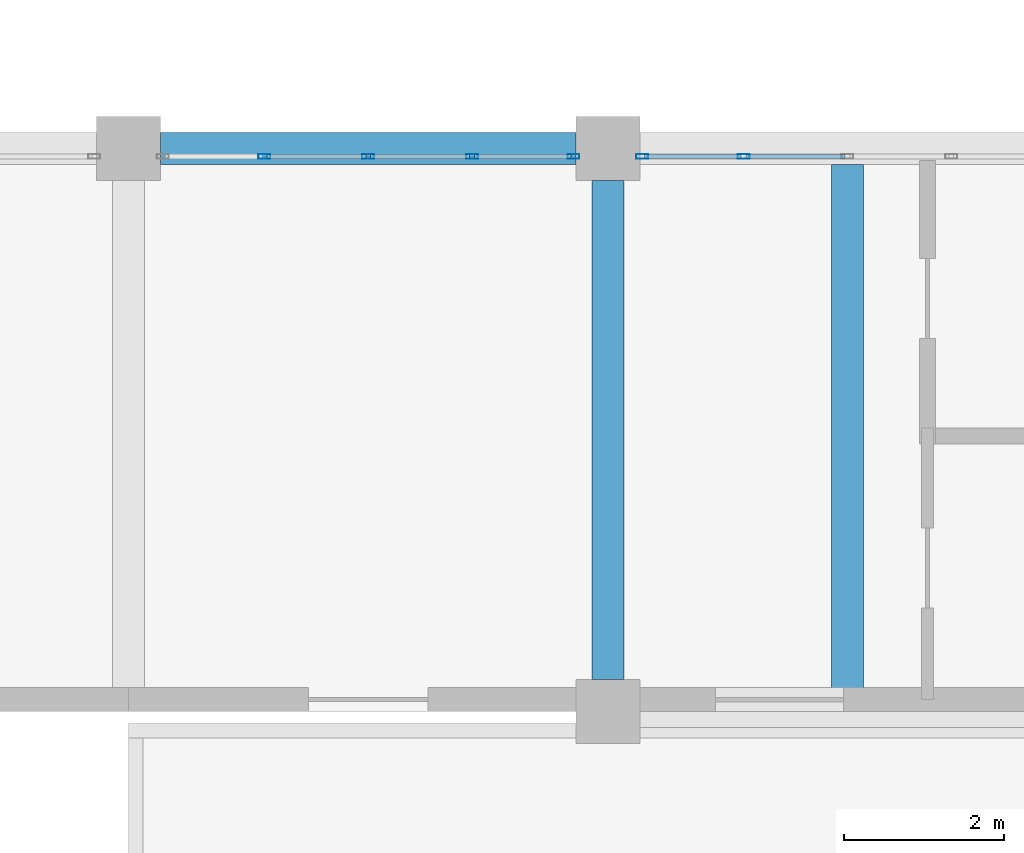
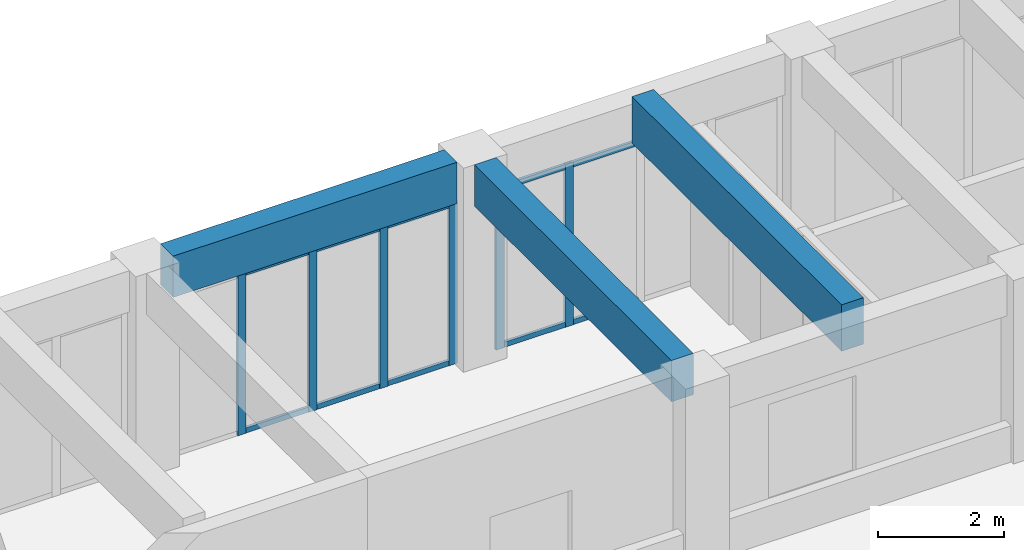
# One storey, part 18 of 92: 16 members, 3 beams, 2 elements without a shape of their own.
"""IFC4 building model written with IfcOpenShell, lengths in metres."""

from ifc_helpers import new_model, si_unit, direction, frame, origin, origin_2d, place, context, subcontext, project, spatial, rectangle, hollow_rectangle, extrude, material, material_profile, profile_set, type_object, element, aggregate, save


model = new_model("IFC4")

# Units and contexts
model_context = context("Model", 3, precision=1e-05, world=origin(), true_north=direction((0.0, 1.0)))
body_context = subcontext(model_context, "Body", "Model", "MODEL_VIEW")
ifc_project = project(units=[si_unit("LENGTHUNIT", "METRE"), si_unit("AREAUNIT", "SQUARE_METRE"), si_unit("VOLUMEUNIT", "CUBIC_METRE"), si_unit("PLANEANGLEUNIT", "RADIAN"), si_unit("MASSUNIT", "GRAM", prefix="KILO")], contexts=[model_context])

# Site, building, storey
site_placement = place(None, origin())
site = spatial("IfcSite", under=ifc_project, at=site_placement, CompositionType="ELEMENT")
building_placement = place(site_placement, origin())
building = spatial("IfcBuilding", under=site, at=building_placement, Name="Laocheng Heights Fire and Rescue Headquarters", CompositionType="ELEMENT")
storey_placement = place(building_placement, frame((0.0, 0.0, 12.60009765625)))
storey = spatial("IfcBuildingStorey", under=building, at=storey_placement, Name="L03", CompositionType="ELEMENT", Elevation=12.60009765625)

# Curtain wall, members
ifc_material_1 = material(Name="Aluminium unitised curtain wall, low-e double glazing", Category="aluminium")
curtain_wall_type = type_object("IfcCurtainWallType", Name="CW 5200 x 3150 GALLERY UNIT", PredefinedType="NOTDEFINED", material=ifc_material_1)
curtain_wall_1_placement = place(storey_placement, origin())
curtain_wall_1 = element("IfcCurtainWall", 1, at=curtain_wall_1_placement, inside=storey, type_object=curtain_wall_type, Name="Gallery north glazing L03", PredefinedType="NOTDEFINED")
ifc_material_2 = material(Name="Aluminium 6063-T5 extrusion", Category="aluminium")
ifc_material_profile_1 = material_profile(ifc_material_2, hollow_rectangle(XDim=0.06005859375, YDim=0.14990234375, WallThickness=0.0029296875, at=origin_2d()), Name="AL MULLION 150x60x3")
ifc_profile_set_1 = profile_set([ifc_material_profile_1], Name="Aluminium 6063-T5 extrusion")
member_type_1 = type_object("IfcMemberType", Name="AL CURTAIN WALL MULLION 150x60x3", PredefinedType="MULLION", material=ifc_profile_set_1)
member_1_placement = place(storey_placement, frame((55.699951171875, 28.699951171875, 0.0), z_axis=(0.0, 0.0, 1.0), x_axis=(0.0, 1.0, 0.0)))
member_1 = element("IfcMember", 2, at=member_1_placement, type_object=member_type_1, Name="X6-E mullion 2", PredefinedType="MULLION", context=body_context, shape_type="SweptSolid", body=[
    extrude(hollow_rectangle(XDim=0.06005859375, YDim=0.14990234375, WallThickness=0.0029296875, at=origin_2d()), origin(), (0.0, 0.0, 1.0), 3.14990234375),
])
member_2_placement = place(storey_placement, frame((57.0, 28.699951171875, 0.0), z_axis=(0.0, 0.0, 1.0), x_axis=(0.0, 1.0, 0.0)))
member_2 = element("IfcMember", 3, at=member_2_placement, type_object=member_type_1, Name="X6-E mullion 3", PredefinedType="MULLION", context=body_context, shape_type="SweptSolid", body=[
    extrude(hollow_rectangle(XDim=0.06005859375, YDim=0.14990234375, WallThickness=0.0029296875, at=origin_2d()), origin(), (0.0, 0.0, 1.0), 3.14990234375),
])
member_3_placement = place(storey_placement, frame((58.300048828125, 28.699951171875, 0.0), z_axis=(0.0, 0.0, 1.0), x_axis=(0.0, 1.0, 0.0)))
member_3 = element("IfcMember", 4, at=member_3_placement, type_object=member_type_1, Name="X6-E mullion 4", PredefinedType="MULLION", context=body_context, shape_type="SweptSolid", body=[
    extrude(hollow_rectangle(XDim=0.06005859375, YDim=0.14990234375, WallThickness=0.0029296875, at=origin_2d()), origin(), (0.0, 0.0, 1.0), 3.14990234375),
])
member_4_placement = place(storey_placement, frame((59.570068359375, 28.699951171875, 0.0), z_axis=(0.0, 0.0, 1.0), x_axis=(0.0, 1.0, 0.0)))
member_4 = element("IfcMember", 5, at=member_4_placement, type_object=member_type_1, Name="X6-E mullion 5", PredefinedType="MULLION", context=body_context, shape_type="SweptSolid", body=[
    extrude(hollow_rectangle(XDim=0.06005859375, YDim=0.14990234375, WallThickness=0.0029296875, at=origin_2d()), origin(), (0.0, 0.0, 1.0), 3.14990234375),
])

curtain_wall_2_placement = place(storey_placement, origin())
curtain_wall_2 = element("IfcCurtainWall", 6, at=curtain_wall_2_placement, inside=storey, type_object=curtain_wall_type, Name="Gallery north glazing L03", PredefinedType="NOTDEFINED")
member_5_placement = place(storey_placement, frame((60.429931640625, 28.699951171875, 0.0), z_axis=(0.0, 0.0, 1.0), x_axis=(0.0, 1.0, 0.0)))
member_5 = element("IfcMember", 7, at=member_5_placement, type_object=member_type_1, Name="X6-E mullion 1", PredefinedType="MULLION", context=body_context, shape_type="SweptSolid", body=[
    extrude(hollow_rectangle(XDim=0.06005859375, YDim=0.14990234375, WallThickness=0.0029296875, at=origin_2d()), origin(), (0.0, 0.0, 1.0), 3.14990234375),
])
member_6_placement = place(storey_placement, frame((61.699951171875, 28.699951171875, 0.0), z_axis=(0.0, 0.0, 1.0), x_axis=(0.0, 1.0, 0.0)))
member_6 = element("IfcMember", 8, at=member_6_placement, type_object=member_type_1, Name="X6-E mullion 2", PredefinedType="MULLION", context=body_context, shape_type="SweptSolid", body=[
    extrude(hollow_rectangle(XDim=0.06005859375, YDim=0.14990234375, WallThickness=0.0029296875, at=origin_2d()), origin(), (0.0, 0.0, 1.0), 3.14990234375),
])

# Member
ifc_material_3 = material(Name="Aluminium 6063-T5 extrusion", Category="aluminium")
ifc_material_profile_2 = material_profile(ifc_material_3, hollow_rectangle(XDim=0.050048828125, YDim=0.10009765625, WallThickness=0.0029296875, at=origin_2d()), Name="AL TRANSOM 100x50x3")
ifc_profile_set_2 = profile_set([ifc_material_profile_2], Name="Aluminium 6063-T5 extrusion")
member_type_2 = type_object("IfcMemberType", Name="AL CURTAIN WALL TRANSOM 100x50x3", PredefinedType="USERDEFINED", material=ifc_profile_set_2)
member_7_placement = place(storey_placement, frame((55.72998046875, 28.699951171875, 0.0498046875), z_axis=(1.0, 0.0, 0.0), x_axis=(0.0, 1.0, 0.0)))
member_7 = element("IfcMember", 9, at=member_7_placement, type_object=member_type_2, Name="X6-E transom 2.1", ObjectType="TRANSOM", PredefinedType="USERDEFINED", context=body_context, shape_type="SweptSolid", body=[
    extrude(hollow_rectangle(XDim=0.050048828125, YDim=0.10009765625, WallThickness=0.0029296875, at=origin_2d()), origin(), (0.0, 0.0, 1.0), 1.239990234375),
])

member_8_placement = place(storey_placement, frame((55.72998046875, 28.699951171875, 3.099853515625), z_axis=(1.0, 0.0, 0.0), x_axis=(0.0, 1.0, 0.0)))
member_8 = element("IfcMember", 10, at=member_8_placement, type_object=member_type_2, Name="X6-E transom 2.2", ObjectType="TRANSOM", PredefinedType="USERDEFINED", context=body_context, shape_type="SweptSolid", body=[
    extrude(hollow_rectangle(XDim=0.050048828125, YDim=0.10009765625, WallThickness=0.0029296875, at=origin_2d()), origin(), (0.0, 0.0, 1.0), 1.239990234375),
])

member_9_placement = place(storey_placement, frame((57.030029296875, 28.699951171875, 0.0498046875), z_axis=(1.0, 0.0, 0.0), x_axis=(0.0, 1.0, 0.0)))
member_9 = element("IfcMember", 11, at=member_9_placement, type_object=member_type_2, Name="X6-E transom 3.1", ObjectType="TRANSOM", PredefinedType="USERDEFINED", context=body_context, shape_type="SweptSolid", body=[
    extrude(hollow_rectangle(XDim=0.050048828125, YDim=0.10009765625, WallThickness=0.0029296875, at=origin_2d()), origin(), (0.0, 0.0, 1.0), 1.239990234375),
])

member_10_placement = place(storey_placement, frame((57.030029296875, 28.699951171875, 3.099853515625), z_axis=(1.0, 0.0, 0.0), x_axis=(0.0, 1.0, 0.0)))
member_10 = element("IfcMember", 12, at=member_10_placement, type_object=member_type_2, Name="X6-E transom 3.2", ObjectType="TRANSOM", PredefinedType="USERDEFINED", context=body_context, shape_type="SweptSolid", body=[
    extrude(hollow_rectangle(XDim=0.050048828125, YDim=0.10009765625, WallThickness=0.0029296875, at=origin_2d()), origin(), (0.0, 0.0, 1.0), 1.239990234375),
])

member_11_placement = place(storey_placement, frame((58.330078125, 28.699951171875, 0.0498046875), z_axis=(1.0, 0.0, 0.0), x_axis=(0.0, 1.0, 0.0)))
member_11 = element("IfcMember", 13, at=member_11_placement, type_object=member_type_2, Name="X6-E transom 4.1", ObjectType="TRANSOM", PredefinedType="USERDEFINED", context=body_context, shape_type="SweptSolid", body=[
    extrude(hollow_rectangle(XDim=0.050048828125, YDim=0.10009765625, WallThickness=0.0029296875, at=origin_2d()), origin(), (0.0, 0.0, 1.0), 1.2099609375),
])

member_12_placement = place(storey_placement, frame((58.330078125, 28.699951171875, 3.099853515625), z_axis=(1.0, 0.0, 0.0), x_axis=(0.0, 1.0, 0.0)))
member_12 = element("IfcMember", 14, at=member_12_placement, type_object=member_type_2, Name="X6-E transom 4.2", ObjectType="TRANSOM", PredefinedType="USERDEFINED", context=body_context, shape_type="SweptSolid", body=[
    extrude(hollow_rectangle(XDim=0.050048828125, YDim=0.10009765625, WallThickness=0.0029296875, at=origin_2d()), origin(), (0.0, 0.0, 1.0), 1.2099609375),
])

aggregate(curtain_wall_1, [member_1, member_2, member_3, member_4, member_7, member_8, member_9, member_10, member_11, member_12])

member_13_placement = place(storey_placement, frame((60.4599609375, 28.699951171875, 0.0498046875), z_axis=(1.0, 0.0, 0.0), x_axis=(0.0, 1.0, 0.0)))
member_13 = element("IfcMember", 15, at=member_13_placement, type_object=member_type_2, Name="X6-E transom 1.1", ObjectType="TRANSOM", PredefinedType="USERDEFINED", context=body_context, shape_type="SweptSolid", body=[
    extrude(hollow_rectangle(XDim=0.050048828125, YDim=0.10009765625, WallThickness=0.0029296875, at=origin_2d()), origin(), (0.0, 0.0, 1.0), 1.2099609375),
])

member_14_placement = place(storey_placement, frame((60.4599609375, 28.699951171875, 3.099853515625), z_axis=(1.0, 0.0, 0.0), x_axis=(0.0, 1.0, 0.0)))
member_14 = element("IfcMember", 16, at=member_14_placement, type_object=member_type_2, Name="X6-E transom 1.2", ObjectType="TRANSOM", PredefinedType="USERDEFINED", context=body_context, shape_type="SweptSolid", body=[
    extrude(hollow_rectangle(XDim=0.050048828125, YDim=0.10009765625, WallThickness=0.0029296875, at=origin_2d()), origin(), (0.0, 0.0, 1.0), 1.2099609375),
])

member_15_placement = place(storey_placement, frame((61.72998046875, 28.699951171875, 0.0498046875), z_axis=(1.0, 0.0, 0.0), x_axis=(0.0, 1.0, 0.0)))
member_15 = element("IfcMember", 17, at=member_15_placement, type_object=member_type_2, Name="X6-E transom 2.1", ObjectType="TRANSOM", PredefinedType="USERDEFINED", context=body_context, shape_type="SweptSolid", body=[
    extrude(hollow_rectangle(XDim=0.050048828125, YDim=0.10009765625, WallThickness=0.0029296875, at=origin_2d()), origin(), (0.0, 0.0, 1.0), 1.239990234375),
])

member_16_placement = place(storey_placement, frame((61.72998046875, 28.699951171875, 3.099853515625), z_axis=(1.0, 0.0, 0.0), x_axis=(0.0, 1.0, 0.0)))
member_16 = element("IfcMember", 18, at=member_16_placement, type_object=member_type_2, Name="X6-E transom 2.2", ObjectType="TRANSOM", PredefinedType="USERDEFINED", context=body_context, shape_type="SweptSolid", body=[
    extrude(hollow_rectangle(XDim=0.050048828125, YDim=0.10009765625, WallThickness=0.0029296875, at=origin_2d()), origin(), (0.0, 0.0, 1.0), 1.239990234375),
])

aggregate(curtain_wall_2, [member_5, member_6, member_13, member_14, member_15, member_16])

# Beams
ifc_material_4 = material(Name="Concrete C40", Category="concrete")
ifc_material_profile_3 = material_profile(ifc_material_4, rectangle(XDim=0.39990234375, YDim=0.800048828125, at=origin_2d()), Name="RC BEAM 400x800 GALLERY FLOOR")
ifc_profile_set_3 = profile_set([ifc_material_profile_3], Name="Concrete C40")
beam_type_1 = type_object("IfcBeamType", Name="RC BEAM 400x800 GALLERY FLOOR", PredefinedType="BEAM", material=ifc_profile_set_3)
beam_1_placement = place(storey_placement, frame((54.39990234375, 28.800048828125, 3.5498046875), z_axis=(1.0, 0.0, 0.0), x_axis=(0.0, 1.0, 0.0)))
element("IfcBeam", 19, at=beam_1_placement, inside=storey, type_object=beam_type_1, Name="Gallery roof beam", PredefinedType="BEAM", context=body_context, shape_type="SweptSolid", body=[
    extrude(rectangle(XDim=0.39990234375, YDim=0.800048828125, at=origin_2d()), origin(), (0.0, 0.0, 1.0), 5.2001953125),
])
ifc_material_5 = material(Name="Concrete C40", Category="concrete")
ifc_material_profile_4 = material_profile(ifc_material_5, rectangle(XDim=0.39990234375, YDim=0.800048828125, at=origin_2d()), Name="RC BEAM 400x800 GALLERY ROOF")
ifc_profile_set_4 = profile_set([ifc_material_profile_4], Name="Concrete C40")
beam_type_2 = type_object("IfcBeamType", Name="RC BEAM 400x800 GALLERY ROOF", PredefinedType="BEAM", material=ifc_profile_set_4)
beam_2_placement = place(storey_placement, frame((60.0, 22.14990234375, 3.5498046875), z_axis=(0.0, 1.0, 0.0), x_axis=(-1.0, 0.0, 0.0)))
element("IfcBeam", 20, at=beam_2_placement, inside=storey, type_object=beam_type_2, Name="Gallery roof beam", PredefinedType="BEAM", context=body_context, shape_type="SweptSolid", body=[
    extrude(rectangle(XDim=0.39990234375, YDim=0.800048828125, at=origin_2d()), origin(), (0.0, 0.0, 1.0), 6.25),
])
ifc_material_6 = material(Name="Concrete C50", Category="concrete")
ifc_material_profile_5 = material_profile(ifc_material_6, rectangle(XDim=0.39990234375, YDim=0.89990234375, at=origin_2d()), Name="RC BEAM 400x900 TRANSFER SECONDARY")
ifc_profile_set_5 = profile_set([ifc_material_profile_5], Name="Concrete C50")
beam_type_3 = type_object("IfcBeamType", Name="RC BEAM 400x900 TRANSFER SECONDARY", PredefinedType="BEAM", material=ifc_profile_set_5)
beam_3_placement = place(storey_placement, frame((63.0, 21.949951171875, 3.64990234375), z_axis=(0.0, 1.0, 0.0), x_axis=(-1.0, 0.0, 0.0)))
element("IfcBeam", 21, at=beam_3_placement, inside=storey, type_object=beam_type_3, Name="Gallery secondary beam", PredefinedType="BEAM", context=body_context, shape_type="SweptSolid", body=[
    extrude(rectangle(XDim=0.39990234375, YDim=0.89990234375, at=origin_2d()), origin(), (0.0, 0.0, 1.0), 6.650146484375),
])

save(model, "model.ifc")
